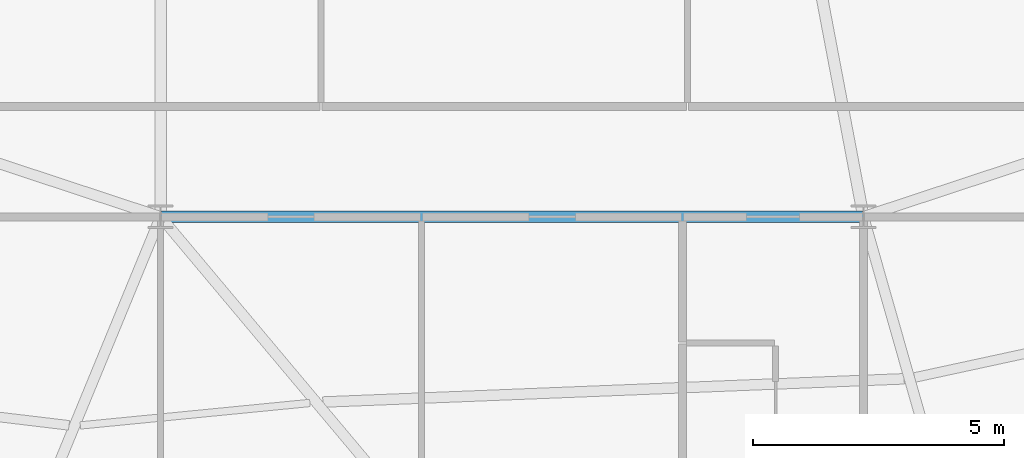
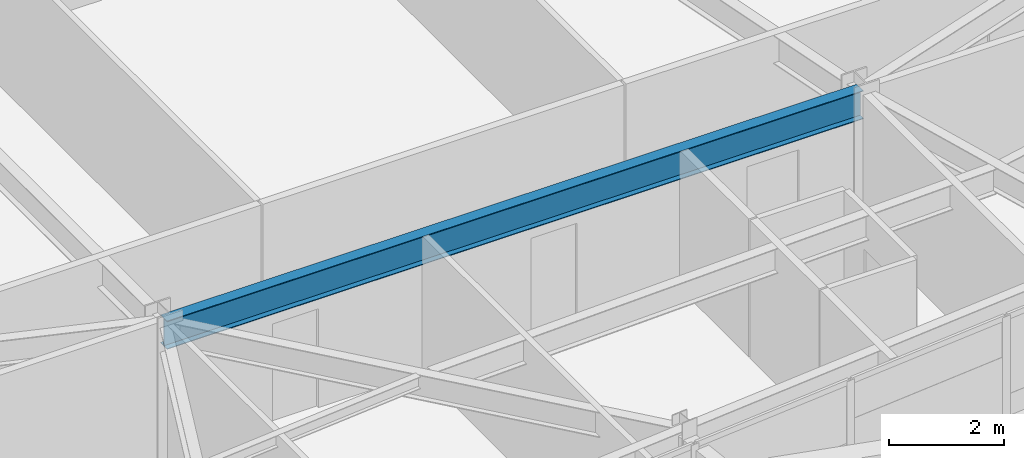
# One storey, part 12 of 52: 1 beam.
"""IFC4 building model written with IfcOpenShell, lengths in metres."""

from ifc_helpers import new_model, si_unit, direction, frame, origin, origin_2d, place, context, subcontext, project, spatial, i_section, extrude, source, transform, mapped, material, material_profile, profile_set, type_object, element, save


model = new_model("IFC4")

# Units and contexts
model_context = context("Model", 3, precision=1e-05, world=origin(), true_north=direction((0.0, 1.0)))
body_context = subcontext(model_context, "Body", "Model", "MODEL_VIEW")
ifc_project = project(units=[si_unit("LENGTHUNIT", "METRE"), si_unit("AREAUNIT", "SQUARE_METRE"), si_unit("VOLUMEUNIT", "CUBIC_METRE"), si_unit("PLANEANGLEUNIT", "RADIAN"), si_unit("MASSUNIT", "GRAM", prefix="KILO")], contexts=[model_context])

# Site, building, storey
site_placement = place(None, origin())
site = spatial("IfcSite", under=ifc_project, at=site_placement, CompositionType="ELEMENT")
building_placement = place(site_placement, origin())
building = spatial("IfcBuilding", under=site, at=building_placement, Name="Taldren Reach Tower", CompositionType="ELEMENT")
storey_placement = place(building_placement, frame((0.0, 0.0, 96.60009765625)))
storey = spatial("IfcBuildingStorey", under=building, at=storey_placement, Name="L29", CompositionType="ELEMENT", Elevation=96.60009765625)

# Beam
ifc_material = material(Name="Steel Gr 350 (350PLUS)", Category="steel")
ifc_material_profile = material_profile(ifc_material, i_section(OverallWidth=0.22802734375, OverallDepth=0.60205078125, WebThickness=0.010498046875, FlangeThickness=0.014892578125, at=origin_2d()), Name="610UB101")
ifc_profile_set = profile_set([ifc_material_profile], Name="Steel Gr 350 (350PLUS)")
beam_type = type_object("IfcBeamType", Name="BM-UB610B", PredefinedType="BEAM", material=ifc_profile_set)
shared_shape = source(origin(), body_context, "Body", "SweptSolid", [
    extrude(i_section(OverallWidth=0.22802734375, OverallDepth=0.60205078125, WebThickness=0.010498046875, FlangeThickness=0.014892578125, at=origin_2d()), origin(), (0.0, 0.0, 1.0), 14.0),
])
beam_placement = place(storey_placement, frame((28.0, 9.199951171875, 2.62890625), z_axis=(1.0, 0.0, 0.0), x_axis=(0.0, 1.0, 0.0)))
element("IfcBeam", 1, at=beam_placement, inside=storey, type_object=beam_type, Name="Core-spine girder L29-SP11", PredefinedType="BEAM", context=body_context, shape_type="MappedRepresentation", body=[
    mapped(shared_shape, transform((0.0, 0.0, 0.0), scale=1.0)),
])

save(model, "model.ifc")
